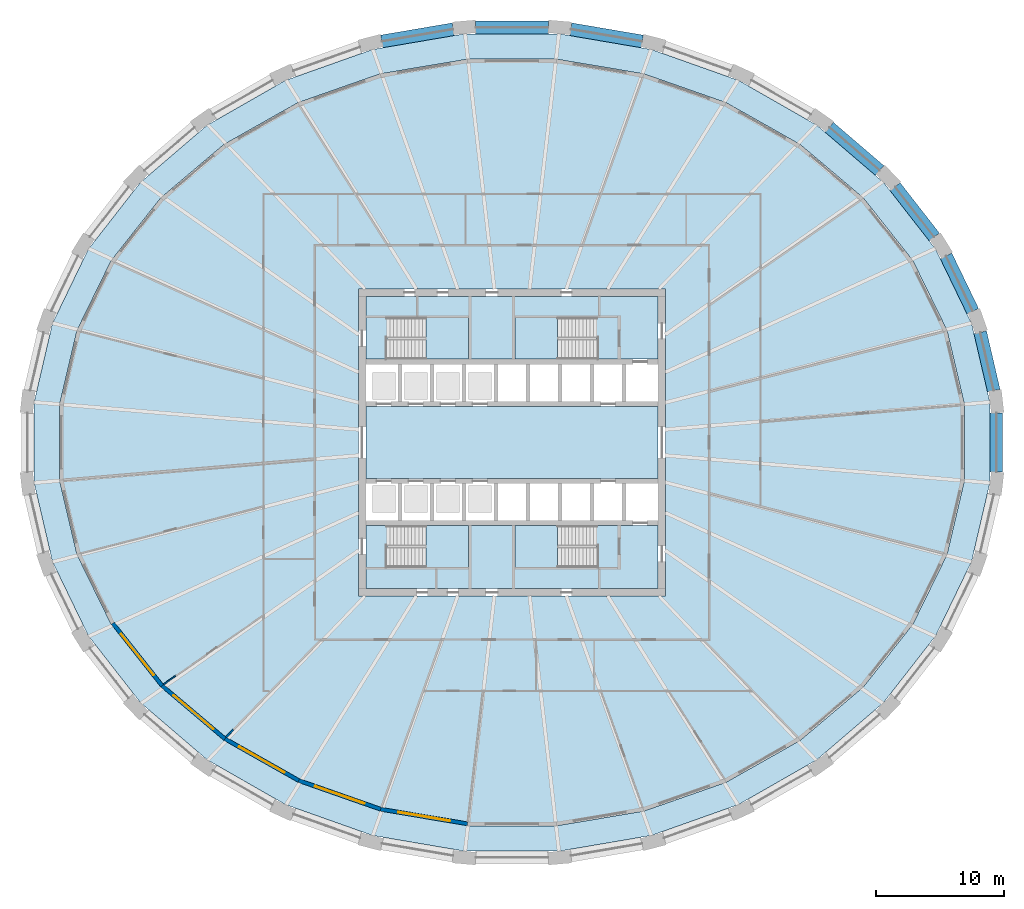
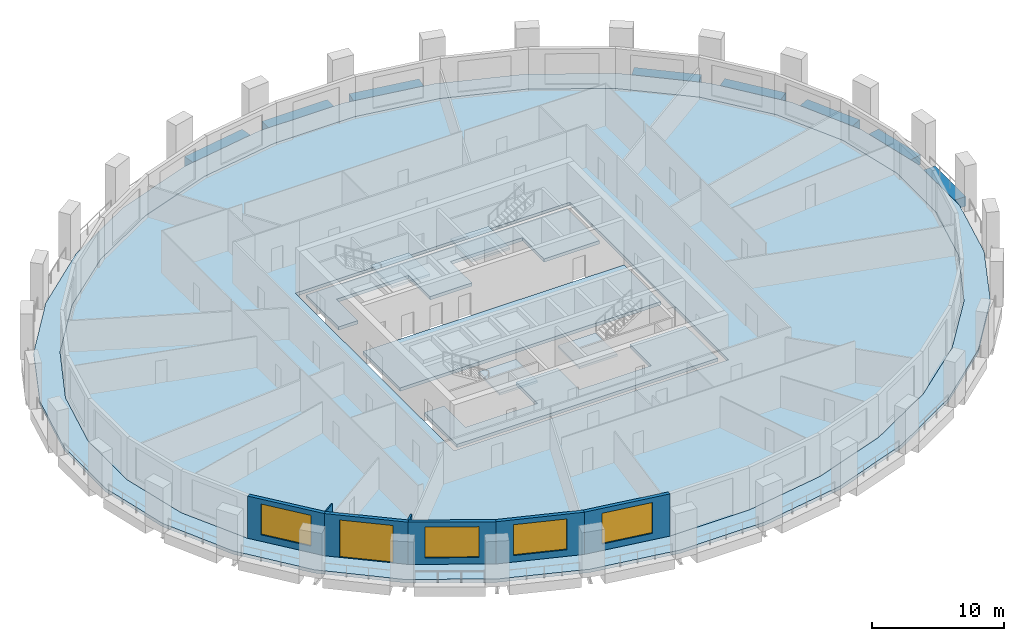
# One storey, part 2 of 12: 9 slabs, 8 beams, 7 walls, 4 windows, 1 door, 5 openings, 4 elements without a shape of their own.
"""IFC4 building model written with IfcOpenShell, lengths in metres."""

from ifc_helpers import new_model, si_unit, direction, frame, frame_2d, origin, origin_2d, place, context, subcontext, project, spatial, polyline, rectangle, outline, extrude, material, layer, layer_set, material_profile, profile_set, type_object, element, fill, aggregate, save


model = new_model("IFC4")

# Units and contexts
model_context = context("Model", 3, precision=1e-05, world=origin(), true_north=direction((0.0, 1.0)))
body_context = subcontext(model_context, "Body", "Model", "MODEL_VIEW")
ifc_project = project(units=[si_unit("LENGTHUNIT", "METRE"), si_unit("AREAUNIT", "SQUARE_METRE"), si_unit("VOLUMEUNIT", "CUBIC_METRE"), si_unit("PLANEANGLEUNIT", "RADIAN"), si_unit("MASSUNIT", "GRAM", prefix="KILO")], contexts=[model_context])

# Site, building, storey
site_placement = place(None, origin())
site = spatial("IfcSite", under=ifc_project, at=site_placement, CompositionType="ELEMENT")
building_placement = place(site_placement, origin())
building = spatial("IfcBuilding", under=site, at=building_placement, Name="Halqa Exchange Tower", CompositionType="ELEMENT")
storey_placement = place(building_placement, frame((0.0, 0.0, 27.699951171875)))
storey = spatial("IfcBuildingStorey", under=building, at=storey_placement, Name="L05", CompositionType="ELEMENT", Elevation=27.699951171875)

# Beams
ifc_material_1 = material(Name="Concrete C60/75", Category="concrete")
ifc_material_profile = material_profile(ifc_material_1, rectangle(XDim=1.0, YDim=0.89990234375, at=origin_2d()), Name="1000 x 900")
ifc_profile_set = profile_set([ifc_material_profile], Name="Concrete C60/75")
beam_type = type_object("IfcBeamType", Name="RC spandrel beam 1000 x 900 C60/75", PredefinedType="SPANDREL", material=ifc_profile_set)
beam_1_placement = place(storey_placement, frame((37.618408203125, 4.04833984375, -0.449951171875), z_axis=(-0.226088096274, 0.974106858986, 0.0), x_axis=(-0.974106858986, -0.226088096274, 0.0)))
element("IfcBeam", 1, at=beam_1_placement, inside=storey, type_object=beam_type, Name="Spandrel 1", PredefinedType="SPANDREL", context=body_context, shape_type="SweptSolid", body=[
    extrude(rectangle(XDim=1.0, YDim=0.89990234375, at=origin_2d()), origin(), (0.0, 0.0, 1.0), 4.672607421875),
])
beam_2_placement = place(storey_placement, frame((35.982177734375, 10.24462890625, -0.449951171875), z_axis=(-0.435100585492, 0.900381852607, 0.0), x_axis=(-0.900381852607, -0.435100585492, 0.0)))
element("IfcBeam", 2, at=beam_2_placement, inside=storey, type_object=beam_type, Name="Spandrel 2", PredefinedType="SPANDREL", context=body_context, shape_type="SweptSolid", body=[
    extrude(rectangle(XDim=1.0, YDim=0.89990234375, at=origin_2d()), origin(), (0.0, 0.0, 1.0), 4.796875),
])
beam_3_placement = place(storey_placement, frame((32.973876953125, 16.045654296875, -0.449951171875), z_axis=(-0.61483301054, 0.788657320482, 0.0), x_axis=(-0.788657320482, -0.61483301054, 0.0)))
element("IfcBeam", 3, at=beam_3_placement, inside=storey, type_object=beam_type, Name="Spandrel 3", PredefinedType="SPANDREL", context=body_context, shape_type="SweptSolid", body=[
    extrude(rectangle(XDim=1.0, YDim=0.89990234375, at=origin_2d()), origin(), (0.0, 0.0, 1.0), 4.97900390625),
])
beam_4_placement = place(storey_placement, frame((28.708984375, 21.2333984375, -0.449951171875), z_axis=(-0.759256602365, 0.650791373456, 0.0), x_axis=(-0.650791373456, -0.759256602365, 0.0)))
element("IfcBeam", 4, at=beam_4_placement, inside=storey, type_object=beam_type, Name="Spandrel 4", PredefinedType="SPANDREL", context=body_context, shape_type="SweptSolid", body=[
    extrude(rectangle(XDim=1.0, YDim=0.89990234375, at=origin_2d()), origin(), (0.0, 0.0, 1.0), 5.18603515625),
])
beam_5_placement = place(storey_placement, frame((10.168212890625, 31.31591796875, -0.449951171875), z_axis=(-0.985772867677, 0.168082876436, 0.0), x_axis=(-0.168082876436, -0.985772867677, 0.0)))
element("IfcBeam", 5, at=beam_5_placement, inside=storey, type_object=beam_type, Name="Spandrel 7", PredefinedType="SPANDREL", context=body_context, shape_type="SweptSolid", body=[
    extrude(rectangle(XDim=1.0, YDim=0.89990234375, at=origin_2d()), origin(), (0.0, 0.0, 1.0), 5.661865234375),
])
beam_6_placement = place(storey_placement, frame((2.85009765625, 32.41455078125, -0.449951171875), z_axis=(-1.0, 0.0, 0.0), x_axis=(0.0, -1.0, 0.0)))
element("IfcBeam", 6, at=beam_6_placement, inside=storey, type_object=beam_type, Name="Spandrel 8", PredefinedType="SPANDREL", context=body_context, shape_type="SweptSolid", body=[
    extrude(rectangle(XDim=1.0, YDim=0.89990234375, at=origin_2d()), origin(), (0.0, 0.0, 1.0), 5.7001953125),
])
beam_7_placement = place(storey_placement, frame((-4.5869140625, 32.267578125, -0.449951171875), z_axis=(-0.985772867677, -0.168082876436, 0.0), x_axis=(0.168082876436, -0.985772867677, 0.0)))
element("IfcBeam", 7, at=beam_7_placement, inside=storey, type_object=beam_type, Name="Spandrel 9", PredefinedType="SPANDREL", context=body_context, shape_type="SweptSolid", body=[
    extrude(rectangle(XDim=1.0, YDim=0.89990234375, at=origin_2d()), origin(), (0.0, 0.0, 1.0), 5.661865234375),
])
beam_8_placement = place(storey_placement, frame((37.81689453125, -2.31396484375, -0.449951171875), z_axis=(0.0, 1.0, 0.0), x_axis=(-1.0, 0.0, 0.0)))
element("IfcBeam", 8, at=beam_8_placement, inside=storey, type_object=beam_type, Name="Spandrel 32", PredefinedType="SPANDREL", context=body_context, shape_type="SweptSolid", body=[
    extrude(rectangle(XDim=1.0, YDim=0.89990234375, at=origin_2d()), origin(), (0.0, 0.0, 1.0), 4.6279296875),
])

# Slabs
ifc_layer_1 = layer(ifc_material_1, 0.300048828125)
ifc_layer_set_1 = layer_set([ifc_layer_1], Name="Concrete C60/75")
slab_type_1 = type_object("IfcSlabType", Name="Core floor slab 300", PredefinedType="FLOOR", material=ifc_layer_set_1)
slab_1_placement = place(storey_placement, frame((0.0, 0.0, -0.300048828125)))
element("IfcSlab", 9, at=slab_1_placement, inside=storey, type_object=slab_type_1, Name="Core floor slab", PredefinedType="FLOOR", context=body_context, shape_type="SweptSolid", body=[
    extrude(outline(polyline([(-11.39990234375, 2.800048828125), (11.39990234375, 2.800048828125), (11.39990234375, -2.800048828125), (-11.39990234375, -2.800048828125), (-11.39990234375, 2.800048828125)])), origin(), (0.0, 0.0, 1.0), 0.300048828125),
])
slab_2_placement = place(storey_placement, frame((0.0, 0.0, -0.300048828125)))
element("IfcSlab", 10, at=slab_2_placement, inside=storey, type_object=slab_type_1, Name="Core floor slab", PredefinedType="FLOOR", context=body_context, shape_type="SweptSolid", body=[
    extrude(outline(polyline([(-11.39990234375, 11.39990234375), (11.39990234375, 11.39990234375), (11.39990234375, 6.5), (6.550048828125, 6.5), (6.550048828125, 9.75), (0.25, 9.75), (0.25, 6.5), (-3.39990234375, 6.5), (-3.39990234375, 9.75), (-9.699951171875, 9.75), (-9.699951171875, 6.5), (-11.39990234375, 6.5), (-11.39990234375, 11.39990234375)])), origin(), (0.0, 0.0, 1.0), 0.300048828125),
])
slab_3_placement = place(storey_placement, frame((0.0, 0.0, -0.300048828125)))
element("IfcSlab", 11, at=slab_3_placement, inside=storey, type_object=slab_type_1, Name="Core floor slab", PredefinedType="FLOOR", context=body_context, shape_type="SweptSolid", body=[
    extrude(outline(polyline([(-9.699951171875, -9.75), (-3.39990234375, -9.75), (-3.39990234375, -6.5), (0.25, -6.5), (0.25, -9.75), (6.550048828125, -9.75), (6.550048828125, -6.5), (11.39990234375, -6.5), (11.39990234375, -11.39990234375), (-11.39990234375, -11.39990234375), (-11.39990234375, -6.5), (-9.699951171875, -6.5), (-9.699951171875, -9.75)])), origin(), (0.0, 0.0, 1.0), 0.300048828125),
])
ifc_material_2 = material(Name="Concrete C40/50", Category="concrete")
ifc_layer_2 = layer(ifc_material_2, 0.300048828125)
ifc_layer_set_2 = layer_set([ifc_layer_2], Name="Concrete C40/50")
slab_type_2 = type_object("IfcSlabType", Name="RC floor slab 300", PredefinedType="FLOOR", material=ifc_layer_set_2)
slab_4_placement = place(storey_placement, frame((0.0, 0.0, -0.300048828125)))
element("IfcSlab", 12, at=slab_4_placement, inside=storey, type_object=slab_type_2, Name="Floor slab", PredefinedType="FLOOR", context=body_context, shape_type="SweptSolid", body=[
    extrude(outline(polyline([(35.33056640625, 2.952880859375), (33.968505859375, 8.743896484375), (31.298828125, 14.19482421875), (27.4267578125, 19.096435546875), (22.502685546875, 23.260986328125), (16.717529296875, 26.5302734375), (10.29296875, 28.781005859375), (3.475341796875, 29.927978515625), (-3.475341796875, 29.927978515625), (-10.29296875, 28.781005859375), (-16.717529296875, 26.5302734375), (-22.502685546875, 23.260986328125), (-27.4267578125, 19.096435546875), (-31.298828125, 14.19482421875), (-33.968505859375, 8.743896484375), (-35.33056640625, 2.952880859375), (-35.33056640625, -2.952880859375), (-33.968505859375, -8.743896484375), (-31.298828125, -14.19482421875), (-27.4267578125, -19.096435546875), (-22.502685546875, -23.260986328125), (-16.717529296875, -26.5302734375), (-10.29296875, -28.781005859375), (-3.475341796875, -29.927978515625), (3.475341796875, -29.927978515625), (10.29296875, -28.781005859375), (16.717529296875, -26.5302734375), (22.502685546875, -23.260986328125), (27.4267578125, -19.096435546875), (31.298828125, -14.19482421875), (33.968505859375, -8.743896484375), (35.33056640625, -2.952880859375), (35.33056640625, 2.952880859375)]), holes=[polyline([(-12.0, -12.0), (12.0, -12.0), (12.0, 12.0), (-12.0, 12.0), (-12.0, -12.0)])]), origin(), (0.0, 0.0, 1.0), 0.300048828125),
])
ifc_layer_3 = layer(ifc_material_2, 0.300048828125)
ifc_layer_set_3 = layer_set([ifc_layer_3], Name="Concrete C40/50")
slab_type_3 = type_object("IfcSlabType", Name="RC loggia slab 300", PredefinedType="FLOOR", material=ifc_layer_set_3)
slab_5_placement = place(storey_placement, frame((0.0, 0.0, -0.300048828125)))
element("IfcSlab", 13, at=slab_5_placement, inside=storey, type_object=slab_type_3, Name="Loggia slab", PredefinedType="FLOOR", context=body_context, shape_type="SweptSolid", body=[
    extrude(outline(polyline([(37.31689453125, 3.13525390625), (37.31689453125, -3.13525390625), (35.88916015625, -9.28759765625), (33.0859375, -15.088623046875), (29.010986328125, -20.316162109375), (23.8173828125, -24.767578125), (17.70361328125, -28.269287109375), (10.904296875, -30.683349609375), (3.682373046875, -31.91455078125), (-3.682373046875, -31.91455078125), (-10.904296875, -30.683349609375), (-17.70361328125, -28.269287109375), (-23.8173828125, -24.767578125), (-29.010986328125, -20.316162109375), (-33.0859375, -15.088623046875), (-35.88916015625, -9.28759765625), (-37.31689453125, -3.13525390625), (-37.31689453125, 3.13525390625), (-35.88916015625, 9.28759765625), (-33.0859375, 15.088623046875), (-29.010986328125, 20.316162109375), (-23.8173828125, 24.767578125), (-17.70361328125, 28.269287109375), (-10.904296875, 30.683349609375), (-3.682373046875, 31.91455078125), (3.682373046875, 31.91455078125), (10.904296875, 30.683349609375), (17.70361328125, 28.269287109375), (23.8173828125, 24.767578125), (29.010986328125, 20.316162109375), (33.0859375, 15.088623046875), (35.88916015625, 9.28759765625), (37.31689453125, 3.13525390625)]), holes=[polyline([(35.33056640625, 2.952880859375), (33.968505859375, 8.743896484375), (31.298828125, 14.19482421875), (27.4267578125, 19.096435546875), (22.502685546875, 23.260986328125), (16.717529296875, 26.5302734375), (10.29296875, 28.781005859375), (3.475341796875, 29.927978515625), (-3.475341796875, 29.927978515625), (-10.29296875, 28.781005859375), (-16.717529296875, 26.5302734375), (-22.502685546875, 23.260986328125), (-27.4267578125, 19.096435546875), (-31.298828125, 14.19482421875), (-33.968505859375, 8.743896484375), (-35.33056640625, 2.952880859375), (-35.33056640625, -2.952880859375), (-33.968505859375, -8.743896484375), (-31.298828125, -14.19482421875), (-27.4267578125, -19.096435546875), (-22.502685546875, -23.260986328125), (-16.717529296875, -26.5302734375), (-10.29296875, -28.781005859375), (-3.475341796875, -29.927978515625), (3.475341796875, -29.927978515625), (10.29296875, -28.781005859375), (16.717529296875, -26.5302734375), (22.502685546875, -23.260986328125), (27.4267578125, -19.096435546875), (31.298828125, -14.19482421875), (33.968505859375, -8.743896484375), (35.33056640625, -2.952880859375), (35.33056640625, 2.952880859375)])]), origin(), (0.0, 0.0, 1.0), 0.300048828125),
])

# Stair, slab
ifc_material_3 = material(Name="Concrete C30/37", Category="concrete")
stair_type = type_object("IfcStairType", Name="Exit stair 1500 wide", PredefinedType="HALF_TURN_STAIR", material=ifc_material_3)
stair_1_placement = place(storey_placement, origin())
stair_1 = element("IfcStair", 14, at=stair_1_placement, inside=storey, type_object=stair_type, Name="Exit stair ST1", PredefinedType="HALF_TURN_STAIR")
ifc_layer_4 = layer(ifc_material_3, 0.199951171875)
ifc_layer_set_4 = layer_set([ifc_layer_4], Name="Concrete C30/37")
slab_type_4 = type_object("IfcSlabType", Name="Stair landing 200 slab", PredefinedType="LANDING", material=ifc_layer_set_4)
slab_6_placement = place(storey_placement, frame((0.0, 0.0, 1.900146484375)))
slab_6 = element("IfcSlab", 15, at=slab_6_placement, type_object=slab_type_4, Name="ST1 landing 1", PredefinedType="LANDING", context=body_context, shape_type="SweptSolid", body=[
    extrude(outline(polyline([(-6.719970703125, 6.5), (-3.39990234375, 6.5), (-3.39990234375, 9.75), (-6.719970703125, 9.75), (-6.719970703125, 6.5)])), origin(), (0.0, 0.0, 1.0), 0.199951171875),
])
aggregate(stair_1, [slab_6])

stair_2_placement = place(storey_placement, origin())
stair_2 = element("IfcStair", 16, at=stair_2_placement, inside=storey, type_object=stair_type, Name="Exit stair ST2", PredefinedType="HALF_TURN_STAIR")
slab_7_placement = place(storey_placement, frame((0.0, 0.0, 1.900146484375)))
slab_7 = element("IfcSlab", 17, at=slab_7_placement, type_object=slab_type_4, Name="ST2 landing 1", PredefinedType="LANDING", context=body_context, shape_type="SweptSolid", body=[
    extrude(outline(polyline([(0.25, 6.5), (3.570068359375, 6.5), (3.570068359375, 9.75), (0.25, 9.75), (0.25, 6.5)])), origin(), (0.0, 0.0, 1.0), 0.199951171875),
])
aggregate(stair_2, [slab_7])

stair_3_placement = place(storey_placement, origin())
stair_3 = element("IfcStair", 18, at=stair_3_placement, inside=storey, type_object=stair_type, Name="Exit stair ST3", PredefinedType="HALF_TURN_STAIR")
slab_8_placement = place(storey_placement, frame((0.0, 0.0, 1.900146484375)))
slab_8 = element("IfcSlab", 19, at=slab_8_placement, type_object=slab_type_4, Name="ST3 landing 1", PredefinedType="LANDING", context=body_context, shape_type="SweptSolid", body=[
    extrude(outline(polyline([(-6.719970703125, -9.75), (-3.39990234375, -9.75), (-3.39990234375, -6.5), (-6.719970703125, -6.5), (-6.719970703125, -9.75)])), origin(), (0.0, 0.0, 1.0), 0.199951171875),
])
aggregate(stair_3, [slab_8])

stair_4_placement = place(storey_placement, origin())
stair_4 = element("IfcStair", 20, at=stair_4_placement, inside=storey, type_object=stair_type, Name="Exit stair ST4", PredefinedType="HALF_TURN_STAIR")
slab_9_placement = place(storey_placement, frame((0.0, 0.0, 1.900146484375)))
slab_9 = element("IfcSlab", 21, at=slab_9_placement, type_object=slab_type_4, Name="ST4 landing 1", PredefinedType="LANDING", context=body_context, shape_type="SweptSolid", body=[
    extrude(outline(polyline([(0.25, -9.75), (3.570068359375, -9.75), (3.570068359375, -6.5), (0.25, -6.5), (0.25, -9.75)])), origin(), (0.0, 0.0, 1.0), 0.199951171875),
])
aggregate(stair_4, [slab_9])

# Walls
ifc_material_4 = material(Name="Fire-rated gypsum board")
ifc_layer_5 = layer(ifc_material_4, 0.14990234375)
ifc_layer_set_5 = layer_set([ifc_layer_5], Name="Fire-rated gypsum board")
wall_type_1 = type_object("IfcWallType", Name="Fire partition EI 60 150", PredefinedType="PARTITIONING", material=ifc_layer_set_5)
wall_1_placement = place(storey_placement, frame((-22.33349609375, -23.017578125, 0.0), z_axis=(0.0, 0.0, 1.0), x_axis=(0.696376805516, 0.717676350969, 0.0)))
element("IfcWall", 22, at=wall_1_placement, inside=storey, type_object=wall_type_1, Name="L05-PWL-002", PredefinedType="PARTITIONING", context=body_context, shape_type="SweptSolid", body=[
    extrude(outline(polyline([(0.0, 0.074951171875), (0.0, 0.07177734375), (0.0048828125, 0.000732421875), (0.024658203125, -0.074951171875), (0.8251953125, -0.074951171875), (0.8251953125, 0.074951171875), (0.0, 0.074951171875)])), origin(), (0.0, 0.0, 1.0), 3.900146484375),
])
ifc_material_5 = material(Name="Gypsum board")
ifc_layer_6 = layer(ifc_material_5, 0.10009765625)
ifc_layer_set_6 = layer_set([ifc_layer_6], Name="Gypsum board")
wall_type_2 = type_object("IfcWallType", Name="Partition 100 gypsum", PredefinedType="PARTITIONING", material=ifc_layer_set_6)
wall_2_placement = place(storey_placement, frame((-26.270263671875, -18.23486328125, 0.0), z_axis=(0.0, 0.0, 1.0), x_axis=(-0.821724425531, -0.569885048484, 0.0)))
element("IfcWall", 23, at=wall_2_placement, inside=storey, type_object=wall_type_2, Name="L05-PWL-049", PredefinedType="PARTITIONING", context=body_context, shape_type="SweptSolid", body=[
    extrude(outline(polyline([(1.146728515625, -0.050048828125), (1.146728515625, -0.048095703125), (1.143798828125, 0.000244140625), (1.13037109375, 0.050048828125), (0.0, 0.050048828125), (0.0, -0.050048828125), (1.146728515625, -0.050048828125)])), origin(), (0.0, 0.0, 1.0), 3.900146484375),
])

# Wall, opening, window
ifc_material_6 = material(Name="Limestone cladding", Category="masonry")
ifc_layer_7 = layer(ifc_material_6, 0.0400390625)
ifc_material_7 = material(Name="Ventilated cavity")
ifc_layer_8 = layer(ifc_material_7, 0.030029296875, ventilated=True)
ifc_material_8 = material(Name="Mineral wool insulation")
ifc_layer_9 = layer(ifc_material_8, 0.10009765625)
ifc_layer_10 = layer(ifc_material_3, 0.10009765625)
ifc_material_9 = material(Name="Internal plaster")
ifc_layer_11 = layer(ifc_material_9, 0.030029296875)
ifc_layer_set_7 = layer_set([ifc_layer_7, ifc_layer_8, ifc_layer_9, ifc_layer_10, ifc_layer_11], Name="Stone-faced insulated wall 300")
wall_type_3 = type_object("IfcWallType", Name="Stone-faced insulated wall 300", PredefinedType="STANDARD", material=ifc_layer_set_7)
wall_3_placement = place(storey_placement, frame((-31.17138671875, -14.114501953125, 0.0), z_axis=(0.0, 0.0, 1.0), x_axis=(0.619902786528, -0.784678619089, 0.0)))
wall_3 = element("IfcWall", 24, at=wall_3_placement, inside=storey, type_object=wall_type_3, Name="Glass-line wall 19", PredefinedType="STANDARD", context=body_context, shape_type="SweptSolid", body=[
    extrude(outline(polyline([(-0.01611328125, -0.14990234375), (6.230712890625, -0.14990234375), (6.200439453125, 0.14990234375), (0.01611328125, 0.14990234375), (-0.01611328125, -0.14990234375)])), origin(), (0.0, 0.0, 1.0), 3.900146484375),
])
opening_1_placement = place(wall_3_placement, frame((1.0576171875, 0.0, 0.60009765625)))
opening_1 = element("IfcOpeningElement", 25, at=opening_1_placement, cuts=wall_3, Name="Opening W-F1-19", PredefinedType="OPENING", context=body_context, shape_type="SweptSolid", body=[
    extrude(rectangle(XDim=4.10009765625, YDim=2.85009765625, at=frame_2d((2.050048828125, 1.425048828125))), frame((0.0, 0.162109375, 0.0), z_axis=(0.0, -1.0, 0.0), x_axis=(1.0, 0.0, 0.0)), (0.0, 0.0, 1.0), 0.323974609375),
])
ifc_material_10 = material(Name="Clear low-emissivity glass in aluminium frame", Category="aluminium")
window_type = type_object("IfcWindowType", Name="Fixed clear glazed window 4100 x 2850", PartitioningType="TRIPLE_PANEL_VERTICAL", PredefinedType="WINDOW", material=ifc_material_10)
window_1_placement = place(opening_1_placement, origin())
window_1 = element("IfcWindow", 26, at=window_1_placement, inside=storey, type_object=window_type, Name="Window 1", OverallHeight=2.85009765625, OverallWidth=4.10009765625, PartitioningType="TRIPLE_PANEL_VERTICAL", PredefinedType="WINDOW", context=body_context, shape_type="SweptSolid", body=[
    extrude(rectangle(XDim=4.10009765625, YDim=2.85009765625, at=frame_2d((2.050048828125, 1.425048828125))), frame((0.0, 0.030029296875, 0.0), z_axis=(0.0, -1.0, 0.0), x_axis=(1.0, 0.0, 0.0)), (0.0, 0.0, 1.0), 0.06005859375),
])
fill(opening_1, window_1)

# Wall, opening, door
wall_4_placement = place(storey_placement, frame((-27.318359375, -18.99169921875, 0.0), z_axis=(0.0, 0.0, 1.0), x_axis=(0.763540615407, -0.645759807223, 0.0)))
wall_4 = element("IfcWall", 27, at=wall_4_placement, inside=storey, type_object=wall_type_3, Name="Glass-line wall 20", PredefinedType="STANDARD", context=body_context, shape_type="SweptSolid", body=[
    extrude(outline(polyline([(-0.01513671875, -0.14990234375), (6.433837890625, -0.14990234375), (6.405517578125, 0.14990234375), (0.01513671875, 0.14990234375), (-0.01513671875, -0.14990234375)])), origin(), (0.0, 0.0, 1.0), 3.900146484375),
])
opening_2_placement = place(wall_4_placement, frame((1.159912109375, 0.0, 0.0)))
opening_2 = element("IfcOpeningElement", 28, at=opening_2_placement, cuts=wall_4, Name="Opening LG-F1-05", PredefinedType="OPENING", context=body_context, shape_type="SweptSolid", body=[
    extrude(rectangle(XDim=4.10009765625, YDim=3.449951171875, at=frame_2d((2.050048828125, 1.72509765625))), frame((0.0, 0.162109375, 0.0), z_axis=(0.0, -1.0, 0.0), x_axis=(1.0, 0.0, 0.0)), (0.0, 0.0, 1.0), 0.323974609375),
])
door_type = type_object("IfcDoorType", Name="Glazed sliding loggia door 4100 x 3450", OperationType="DOUBLE_DOOR_SLIDING", PredefinedType="DOOR", material=ifc_material_10)
door_placement = place(opening_2_placement, origin())
door = element("IfcDoor", 29, at=door_placement, inside=storey, type_object=door_type, Name="Loggia door 5", OperationType="DOUBLE_DOOR_SLIDING", OverallHeight=3.449951171875, OverallWidth=4.10009765625, PredefinedType="DOOR", context=body_context, shape_type="SweptSolid", body=[
    extrude(rectangle(XDim=4.10009765625, YDim=3.449951171875, at=frame_2d((2.050048828125, 1.72509765625))), frame((0.0, 0.02490234375, 0.0), z_axis=(0.0, -1.0, 0.0), x_axis=(1.0, 0.0, 0.0)), (0.0, 0.0, 1.0), 0.050048828125),
])
fill(opening_2, door)

# Wall, opening, window
wall_5_placement = place(storey_placement, frame((-22.416748046875, -23.13720703125, 0.0), z_axis=(0.0, 0.0, 1.0), x_axis=(0.8705786416, -0.492029296678, 0.0)))
wall_5 = element("IfcWall", 30, at=wall_5_placement, inside=storey, type_object=wall_type_3, Name="Glass-line wall 21", PredefinedType="STANDARD", context=body_context, shape_type="SweptSolid", body=[
    extrude(outline(polyline([(-0.01416015625, -0.14990234375), (6.631103515625, -0.14990234375), (6.604248046875, 0.14990234375), (0.01416015625, 0.14990234375), (-0.01416015625, -0.14990234375)])), origin(), (0.0, 0.0, 1.0), 3.900146484375),
])
opening_3_placement = place(wall_5_placement, frame((1.2587890625, 0.0, 0.60009765625)))
opening_3 = element("IfcOpeningElement", 31, at=opening_3_placement, cuts=wall_5, Name="Opening W-F1-21", PredefinedType="OPENING", context=body_context, shape_type="SweptSolid", body=[
    extrude(rectangle(XDim=4.10009765625, YDim=2.85009765625, at=frame_2d((2.050048828125, 1.425048828125))), frame((0.0, 0.162109375, 0.0), z_axis=(0.0, -1.0, 0.0), x_axis=(1.0, 0.0, 0.0)), (0.0, 0.0, 1.0), 0.323974609375),
])
window_2_placement = place(opening_3_placement, origin())
window_2 = element("IfcWindow", 32, at=window_2_placement, inside=storey, type_object=window_type, Name="Window 1", OverallHeight=2.85009765625, OverallWidth=4.10009765625, PartitioningType="TRIPLE_PANEL_VERTICAL", PredefinedType="WINDOW", context=body_context, shape_type="SweptSolid", body=[
    extrude(rectangle(XDim=4.10009765625, YDim=2.85009765625, at=frame_2d((2.050048828125, 1.425048828125))), frame((0.0, 0.030029296875, 0.0), z_axis=(0.0, -1.0, 0.0), x_axis=(1.0, 0.0, 0.0)), (0.0, 0.0, 1.0), 0.06005859375),
])
fill(opening_3, window_2)

wall_6_placement = place(storey_placement, frame((-16.655517578125, -26.393310546875, 0.0), z_axis=(0.0, 0.0, 1.0), x_axis=(0.943767392455, -0.330610206947, 0.0)))
wall_6 = element("IfcWall", 33, at=wall_6_placement, inside=storey, type_object=wall_type_3, Name="Glass-line wall 22", PredefinedType="STANDARD", context=body_context, shape_type="SweptSolid", body=[
    extrude(outline(polyline([(-0.013427734375, -0.14990234375), (6.7939453125, -0.14990234375), (6.7685546875, 0.14990234375), (0.013427734375, 0.14990234375), (-0.013427734375, -0.14990234375)])), origin(), (0.0, 0.0, 1.0), 3.900146484375),
])
opening_4_placement = place(wall_6_placement, frame((1.340576171875, 0.0, 0.60009765625)))
opening_4 = element("IfcOpeningElement", 34, at=opening_4_placement, cuts=wall_6, Name="Opening W-F1-22", PredefinedType="OPENING", context=body_context, shape_type="SweptSolid", body=[
    extrude(rectangle(XDim=4.10009765625, YDim=2.85009765625, at=frame_2d((2.050048828125, 1.425048828125))), frame((0.0, 0.162109375, 0.0), z_axis=(0.0, -1.0, 0.0), x_axis=(1.0, 0.0, 0.0)), (0.0, 0.0, 1.0), 0.323974609375),
])
window_3_placement = place(opening_4_placement, origin())
window_3 = element("IfcWindow", 35, at=window_3_placement, inside=storey, type_object=window_type, Name="Window 1", OverallHeight=2.85009765625, OverallWidth=4.10009765625, PartitioningType="TRIPLE_PANEL_VERTICAL", PredefinedType="WINDOW", context=body_context, shape_type="SweptSolid", body=[
    extrude(rectangle(XDim=4.10009765625, YDim=2.85009765625, at=frame_2d((2.050048828125, 1.425048828125))), frame((0.0, 0.030029296875, 0.0), z_axis=(0.0, -1.0, 0.0), x_axis=(1.0, 0.0, 0.0)), (0.0, 0.0, 1.0), 0.06005859375),
])
fill(opening_4, window_3)

wall_7_placement = place(storey_placement, frame((-10.255615234375, -28.63525390625, 0.0), z_axis=(0.0, 0.0, 1.0), x_axis=(0.986141805867, -0.165904607291, 0.0)))
wall_7 = element("IfcWall", 36, at=wall_7_placement, inside=storey, type_object=wall_type_3, Name="Glass-line wall 23", PredefinedType="STANDARD", context=body_context, shape_type="SweptSolid", body=[
    extrude(outline(polyline([(-0.0126953125, -0.14990234375), (6.90087890625, -0.14990234375), (6.8759765625, 0.14990234375), (0.0126953125, 0.14990234375), (-0.0126953125, -0.14990234375)])), origin(), (0.0, 0.0, 1.0), 3.900146484375),
])
opening_5_placement = place(wall_7_placement, frame((1.39404296875, 0.0, 0.60009765625)))
opening_5 = element("IfcOpeningElement", 37, at=opening_5_placement, cuts=wall_7, Name="Opening W-F1-23", PredefinedType="OPENING", context=body_context, shape_type="SweptSolid", body=[
    extrude(rectangle(XDim=4.10009765625, YDim=2.85009765625, at=frame_2d((2.050048828125, 1.425048828125))), frame((0.0, 0.162109375, 0.0), z_axis=(0.0, -1.0, 0.0), x_axis=(1.0, 0.0, 0.0)), (0.0, 0.0, 1.0), 0.323974609375),
])
window_4_placement = place(opening_5_placement, origin())
window_4 = element("IfcWindow", 38, at=window_4_placement, inside=storey, type_object=window_type, Name="Window 1", OverallHeight=2.85009765625, OverallWidth=4.10009765625, PartitioningType="TRIPLE_PANEL_VERTICAL", PredefinedType="WINDOW", context=body_context, shape_type="SweptSolid", body=[
    extrude(rectangle(XDim=4.10009765625, YDim=2.85009765625, at=frame_2d((2.050048828125, 1.425048828125))), frame((0.0, 0.030029296875, 0.0), z_axis=(0.0, -1.0, 0.0), x_axis=(1.0, 0.0, 0.0)), (0.0, 0.0, 1.0), 0.06005859375),
])
fill(opening_5, window_4)

save(model, "model.ifc")
